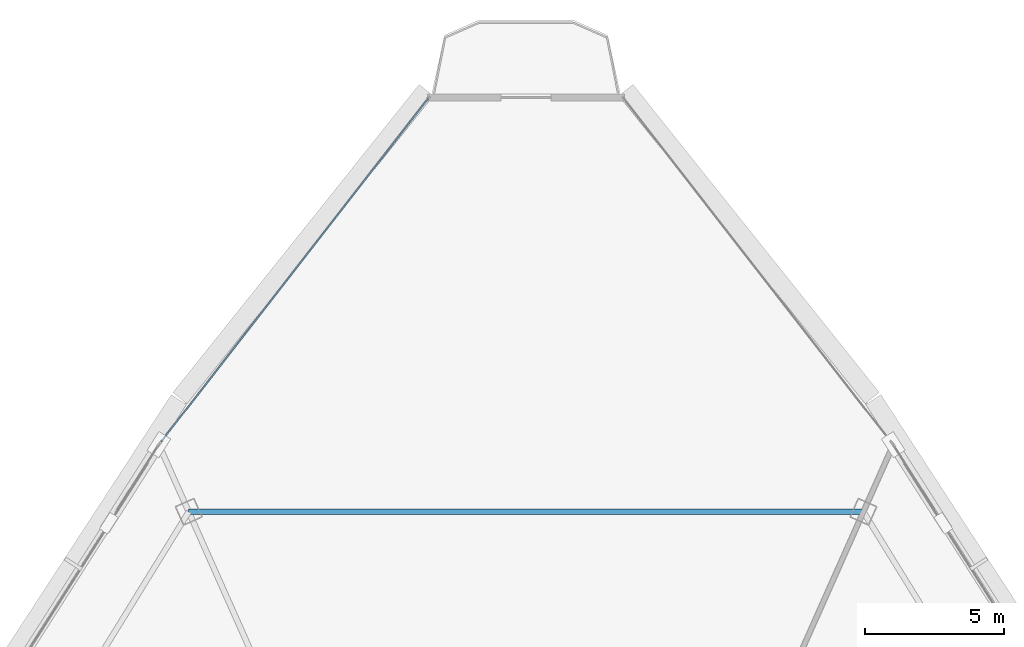
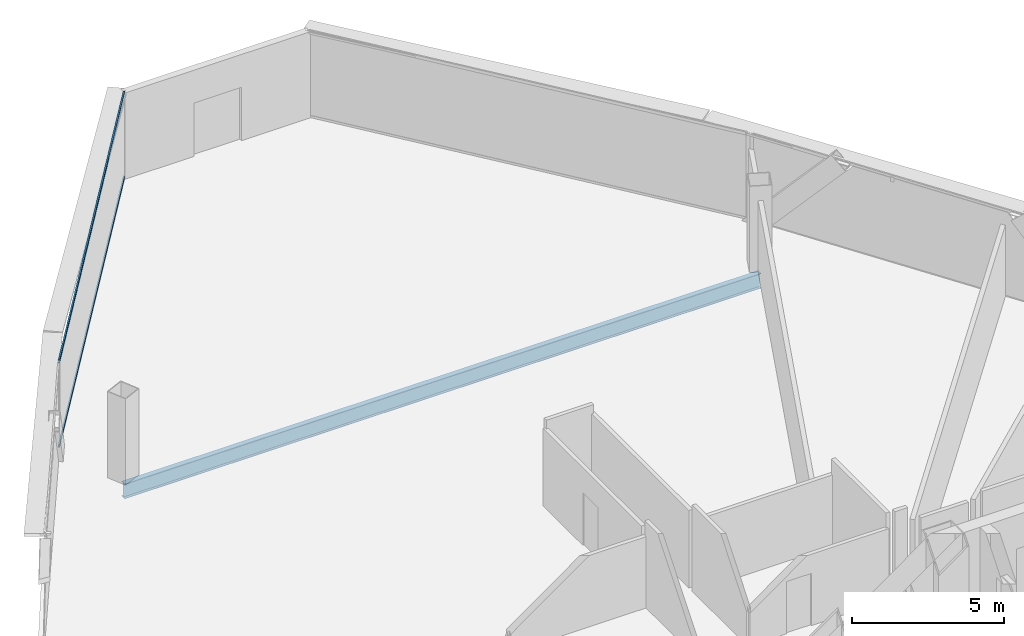
# One storey, part 23 of 40: 2 members, 1 beam, 1 element without a shape of its own.
"""IFC4 building model written with IfcOpenShell, lengths in metres."""

from ifc_helpers import new_model, si_unit, direction, frame, origin, origin_2d, place, context, subcontext, project, spatial, hollow_rectangle, i_section, extrude, source, transform, mapped, material, layer, layer_set, material_profile, profile_set, type_object, element, aggregate, save


model = new_model("IFC4")

# Units and contexts
model_context = context("Model", 3, precision=1e-05, world=origin(), true_north=direction((0.0, 1.0)))
body_context = subcontext(model_context, "Body", "Model", "MODEL_VIEW")
ifc_project = project(units=[si_unit("LENGTHUNIT", "METRE"), si_unit("AREAUNIT", "SQUARE_METRE"), si_unit("VOLUMEUNIT", "CUBIC_METRE"), si_unit("PLANEANGLEUNIT", "RADIAN"), si_unit("MASSUNIT", "GRAM", prefix="KILO"), si_unit("THERMODYNAMICTEMPERATUREUNIT", "KELVIN"), si_unit("POWERUNIT", "WATT")], contexts=[model_context])

# Site, building, storey
site_placement = place(None, origin())
site = spatial("IfcSite", under=ifc_project, at=site_placement, CompositionType="ELEMENT")
building_placement = place(site_placement, origin())
building = spatial("IfcBuilding", under=site, at=building_placement, Name="Yunzhuo Pagoda Commons", CompositionType="ELEMENT")
storey_placement = place(building_placement, frame((0.0, 0.0, 288.75)))
storey = spatial("IfcBuildingStorey", under=building, at=storey_placement, Name="L72", CompositionType="ELEMENT", Elevation=288.75)

# Beam
ifc_material_1 = material(Name="Structural steel Q355B", Category="steel")
ifc_material_profile_1 = material_profile(ifc_material_1, i_section(OverallWidth=0.199951171875, OverallDepth=0.60009765625, WebThickness=0.010986328125, FlangeThickness=0.01708984375, at=origin_2d()), Name="Structural steel Q355B")
ifc_profile_set_1 = profile_set([ifc_material_profile_1], Name="Structural steel Q355B")
beam_type = type_object("IfcBeamType", Name="B-RG3 Beam HN 600x200x11x17", PredefinedType="BEAM", material=ifc_profile_set_1)
shared_shape_1 = source(origin(), body_context, "Body", "SweptSolid", [
    extrude(i_section(OverallWidth=0.199951171875, OverallDepth=0.60009765625, WebThickness=0.010986328125, FlangeThickness=0.01708984375, at=origin_2d()), origin(), (0.0, 0.0, 1.0), 24.228515625),
])
beam_placement = place(storey_placement, frame((60.1142578125, 60.9091796875, -0.56005859375), z_axis=(-1.0, 0.0, 0.0), x_axis=(0.0, -1.0, 0.0)))
element("IfcBeam", 1, at=beam_placement, inside=storey, type_object=beam_type, Name="L72 column-ring beam 8", PredefinedType="BEAM", context=body_context, shape_type="MappedRepresentation", body=[
    mapped(shared_shape_1, transform((0.0, 0.0, 0.0), scale=1.0)),
])

# Curtain wall, members
ifc_material_2 = material(Name="Anodized aluminium 6063-T6", Category="aluminium")
ifc_layer = layer(ifc_material_2, 0.139892578125)
ifc_layer_set = layer_set([ifc_layer], Name="Anodized aluminium 6063-T6")
curtain_wall_type = type_object("IfcCurtainWallType", Name="CW-HI High-Zone Ribbon Curtain Wall", PredefinedType="NOTDEFINED", material=ifc_layer_set)
curtain_wall_placement = place(storey_placement, origin())
curtain_wall = element("IfcCurtainWall", 2, at=curtain_wall_placement, inside=storey, type_object=curtain_wall_type, Name="L72 curtain wall CW-L72-F3B1", PredefinedType="NOTDEFINED")
ifc_material_profile_2 = material_profile(ifc_material_2, hollow_rectangle(XDim=0.054931640625, YDim=0.1201171875, WallThickness=0.00341796875, at=origin_2d()), Name="Anodized aluminium 6063-T6")
ifc_profile_set_2 = profile_set([ifc_material_profile_2], Name="Anodized aluminium 6063-T6")
member_type = type_object("IfcMemberType", Name="CW-HI-T Transom RHS 120x55x3.5", PredefinedType="USERDEFINED", material=ifc_profile_set_2)
shared_shape_2 = source(origin(), body_context, "Body", "SweptSolid", [
    extrude(hollow_rectangle(XDim=0.054931640625, YDim=0.1201171875, WallThickness=0.00341796875, at=origin_2d()), origin(), (0.0, 0.0, 1.0), 15.608642578125),
])
member_1_placement = place(storey_placement, frame((44.483154296875, 75.742919921875, 0.027587890625), z_axis=(-0.614253513631, -0.789108751055, 0.0), x_axis=(0.789108751055, -0.614253513631, 0.0)))
member_1 = element("IfcMember", 3, at=member_1_placement, type_object=member_type, Name="CW transom 1.1", ObjectType="TRANSOM", PredefinedType="USERDEFINED", context=body_context, shape_type="MappedRepresentation", body=[
    mapped(shared_shape_2, transform((0.0, 0.0, 0.0), scale=1.0)),
])
member_2_placement = place(storey_placement, frame((44.483154296875, 75.742919921875, 3.4423828125), z_axis=(-0.614253513631, -0.789108751055, 0.0), x_axis=(0.789108751055, -0.614253513631, 0.0)))
member_2 = element("IfcMember", 4, at=member_2_placement, type_object=member_type, Name="CW transom 1.2", ObjectType="TRANSOM", PredefinedType="USERDEFINED", context=body_context, shape_type="MappedRepresentation", body=[
    mapped(shared_shape_2, transform((0.0, 0.0, 0.0), scale=1.0)),
])
aggregate(curtain_wall, [member_1, member_2])

save(model, "model.ifc")
